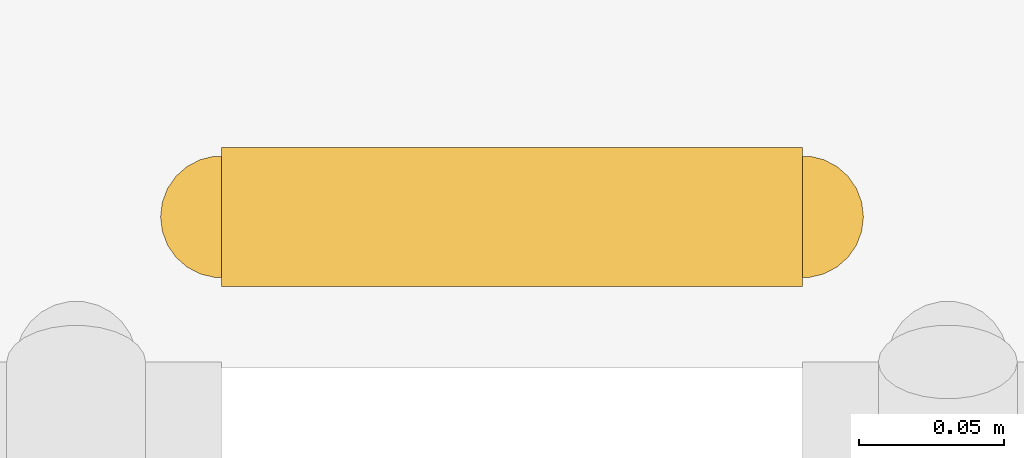
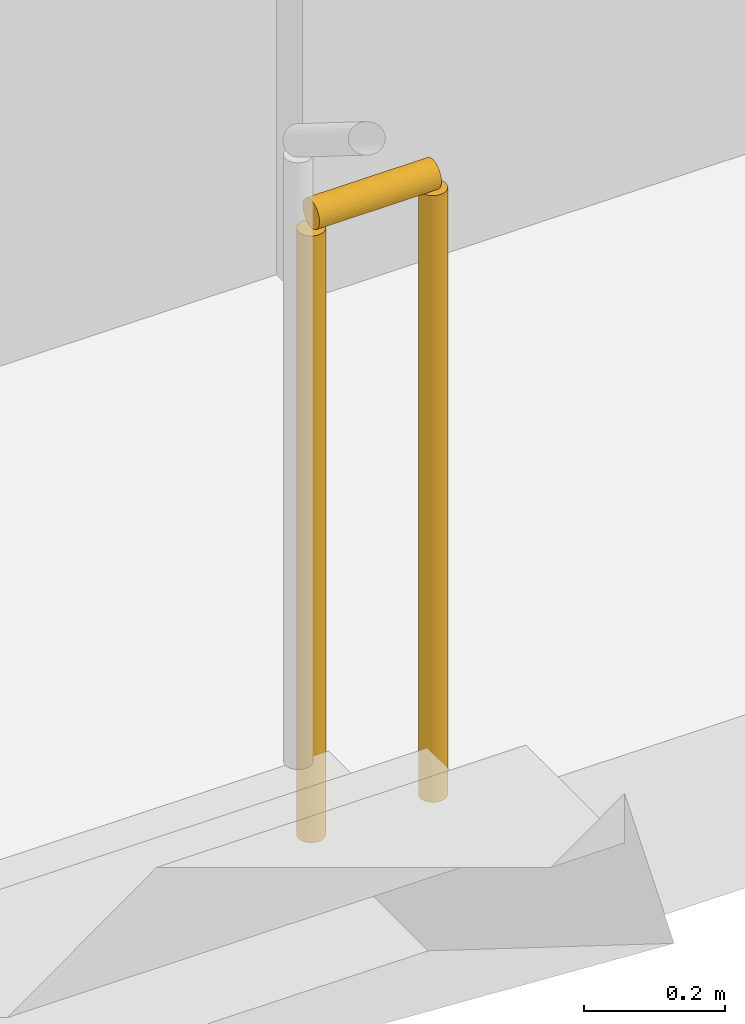
# One storey, part 22 of 22: 1 railing.
"""IFC4 building model written with IfcOpenShell, lengths in metres."""

from ifc_helpers import new_model, si_unit, direction, frame, origin, origin_2d, place, context, subcontext, project, spatial, circle, extrude, material, type_object, element, save


model = new_model("IFC4")

# Units and contexts
model_context = context("Model", 3, precision=1e-05, world=origin(), true_north=direction((0.0, 1.0)))
body_context = subcontext(model_context, "Body", "Model", "MODEL_VIEW")
ifc_project = project(units=[si_unit("LENGTHUNIT", "METRE"), si_unit("AREAUNIT", "SQUARE_METRE"), si_unit("VOLUMEUNIT", "CUBIC_METRE"), si_unit("PLANEANGLEUNIT", "RADIAN"), si_unit("MASSUNIT", "GRAM", prefix="KILO")], contexts=[model_context])

# Site, building, storey
site_placement = place(None, origin())
site = spatial("IfcSite", under=ifc_project, at=site_placement, CompositionType="ELEMENT")
building_placement = place(site_placement, origin())
building = spatial("IfcBuilding", under=site, at=building_placement, Name="Kiln Ring Residences", CompositionType="ELEMENT")
storey_placement = place(building_placement, frame((0.0, 0.0, 153.60009765625)))
storey = spatial("IfcBuildingStorey", under=building, at=storey_placement, Name="L39", CompositionType="ELEMENT", Elevation=153.60009765625)

# Railing
ifc_material = material(Name="Stainless steel", Category="steel")
railing_type = type_object("IfcRailingType", Name="CORE-STAIR-GUARD", PredefinedType="GUARDRAIL", material=ifc_material)
railing_placement = place(storey_placement, frame((22.0, 8.449951171875, 0.0)))
element("IfcRailing", 1, at=railing_placement, inside=storey, type_object=railing_type, Name="L39 E-STN stair guard 4", PredefinedType="GUARDRAIL", context=body_context, shape_type="SweptSolid", body=[
    extrude(circle(Radius=0.02392578125, at=origin_2d()), frame((0.0, 0.0, 1.076171875), z_axis=(1.0, 0.0, 0.0), x_axis=(0.0, 1.0, 0.0)), (0.0, 0.0, 1.0), 0.199951171875),
    extrude(circle(Radius=0.02099609375, at=origin_2d()), origin(), (0.0, 0.0, 1.0), 1.052001953125),
    extrude(circle(Radius=0.02099609375, at=origin_2d()), frame((0.199951171875, 0.0, 0.0)), (0.0, 0.0, 1.0), 1.052001953125),
])

save(model, "model.ifc")
